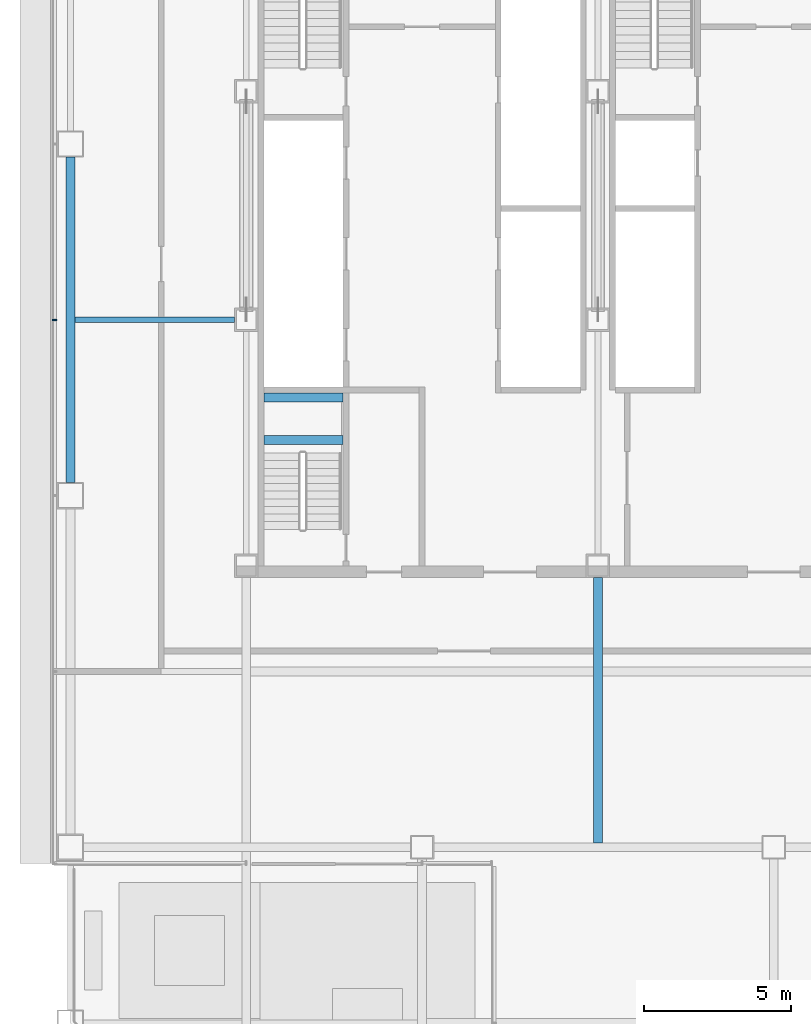
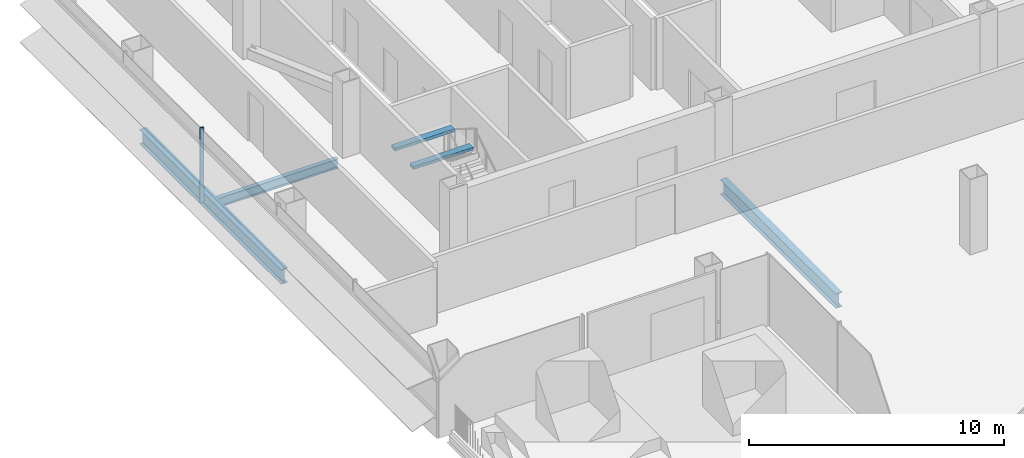
# One storey, part 6 of 28: 5 beams, 1 member, 1 element without a shape of its own.
"""IFC4 building model written with IfcOpenShell, lengths in metres."""

from ifc_helpers import new_model, si_unit, direction, frame, origin, origin_2d, place, context, subcontext, project, spatial, rectangle, i_section, extrude, material, material_profile, profile_set, type_object, element, aggregate, save


model = new_model("IFC4")

# Units and contexts
model_context = context("Model", 3, precision=1e-05, world=origin(), true_north=direction((0.0, 1.0)))
body_context = subcontext(model_context, "Body", "Model", "MODEL_VIEW")
ifc_project = project(units=[si_unit("LENGTHUNIT", "METRE"), si_unit("AREAUNIT", "SQUARE_METRE"), si_unit("VOLUMEUNIT", "CUBIC_METRE"), si_unit("PLANEANGLEUNIT", "RADIAN"), si_unit("MASSUNIT", "GRAM", prefix="KILO")], contexts=[model_context])

# Site, building, storey
site_placement = place(None, origin())
site = spatial("IfcSite", under=ifc_project, at=site_placement, CompositionType="ELEMENT")
building_placement = place(site_placement, origin())
building = spatial("IfcBuilding", under=site, at=building_placement, Name="Sorahane Residences", CompositionType="ELEMENT")
storey_placement = place(building_placement, frame((0.0, 0.0, 60.60009765625)))
storey = spatial("IfcBuildingStorey", under=building, at=storey_placement, Name="L11", CompositionType="ELEMENT", Elevation=60.60009765625)

# Curtain wall, member
ifc_material_1 = material(Name="Dark low-e glass and black anodised aluminium", Category="aluminium")
curtain_wall_type = type_object("IfcCurtainWallType", Name="Curtain wall CW-1 Typical unitised wall", PredefinedType="NOTDEFINED", material=ifc_material_1)
curtain_wall_placement = place(storey_placement, origin())
curtain_wall = element("IfcCurtainWall", 1, at=curtain_wall_placement, inside=storey, type_object=curtain_wall_type, Name="CW-1 curtain wall L11 W1", PredefinedType="NOTDEFINED")
ifc_material_2 = material(Name="Black anodised aluminium", Category="aluminium")
ifc_material_profile_1 = material_profile(ifc_material_2, rectangle(XDim=0.159912109375, YDim=0.050048828125, at=origin_2d()), Name="Curtain wall mullion CW-1 black anodised aluminium 50x160")
ifc_profile_set_1 = profile_set([ifc_material_profile_1], Name="Black anodised aluminium")
member_type = type_object("IfcMemberType", Name="Curtain wall mullion CW-1 black anodised aluminium 50x160", PredefinedType="MULLION", material=ifc_profile_set_1)
member_placement = place(storey_placement, frame((-0.5400390625, 30.0, -0.18017578125), z_axis=(0.0, 0.0, 1.0), x_axis=(-1.0, 0.0, 0.0)))
member = element("IfcMember", 2, at=member_placement, type_object=member_type, Name="CW-1 mullion L11 W1.3", PredefinedType="MULLION", context=body_context, shape_type="SweptSolid", body=[
    extrude(rectangle(XDim=0.159912109375, YDim=0.050048828125, at=origin_2d()), origin(), (0.0, 0.0, 1.0), 3.60009765625),
])
aggregate(curtain_wall, [member])

# Beams
ifc_material_3 = material(Name="Concrete C40", Category="concrete")
ifc_material_profile_2 = material_profile(ifc_material_3, rectangle(XDim=0.300048828125, YDim=0.139892578125, at=origin_2d()), Name="300x140")
ifc_profile_set_2 = profile_set([ifc_material_profile_2], Name="Concrete C40")
beam_type_1 = type_object("IfcBeamType", Name="RC landing beam 300 x 140 Concrete C40", PredefinedType="BEAM", material=ifc_profile_set_2)
for number, where, z_axis, x_axis, name in (
    (3, (6.60009765625, 25.89990234375, 1.52978515625), (1.0, 0.0, 0.0), (0.0, 1.0, 0.0), "Landing beam"),
    (4, (6.60009765625, 27.35009765625, 1.52978515625), (1.0, 0.0, 0.0), (0.0, 1.0, 0.0), "Landing beam"),
):
    element("IfcBeam", number, at=place(storey_placement, frame(where, z_axis=z_axis, x_axis=x_axis)), inside=storey, type_object=beam_type_1, Name=name, PredefinedType="BEAM", context=body_context, shape_type="SweptSolid", body=[
        extrude(rectangle(XDim=0.300048828125, YDim=0.139892578125, at=origin_2d()), origin(), (0.0, 0.0, 1.0), 2.699951171875),
    ])
ifc_material_4 = material(Name="Steel Q355B", Category="steel")
ifc_material_profile_3 = material_profile(ifc_material_4, i_section(OverallWidth=0.199951171875, OverallDepth=0.449951171875, WebThickness=0.009033203125, FlangeThickness=0.013916015625, FilletRadius=0.02001953125, at=origin_2d()), Name="HN 450x200x9x14")
ifc_profile_set_3 = profile_set([ifc_material_profile_3], Name="Steel Q355B")
beam_type_2 = type_object("IfcBeamType", Name="Steel floor beam HN 450x200x9x14 Q355B", PredefinedType="BEAM", material=ifc_profile_set_3)
beam_1_placement = place(storey_placement, frame((0.14990234375, 30.0, -0.405029296875), z_axis=(1.0, 0.0, 0.0), x_axis=(0.0, 1.0, 0.0)))
element("IfcBeam", 5, at=beam_1_placement, inside=storey, type_object=beam_type_2, Name="Beam L11 074", PredefinedType="BEAM", context=body_context, shape_type="SweptSolid", body=[
    extrude(i_section(OverallWidth=0.199951171875, OverallDepth=0.449951171875, WebThickness=0.009033203125, FlangeThickness=0.013916015625, FilletRadius=0.02001953125, at=origin_2d()), origin(), (0.0, 0.0, 1.0), 5.4501953125),
])
ifc_material_5 = material(Name="Steel Q355B", Category="steel")
ifc_material_profile_4 = material_profile(ifc_material_5, i_section(OverallWidth=0.300048828125, OverallDepth=0.699951171875, WebThickness=0.012939453125, FlangeThickness=0.02392578125, FilletRadius=0.028076171875, at=origin_2d()), Name="HN 700x300x13x24")
ifc_profile_set_4 = profile_set([ifc_material_profile_4], Name="Steel Q355B")
beam_type_3 = type_object("IfcBeamType", Name="Steel floor beam HN 700x300x13x24 Q355B", PredefinedType="BEAM", material=ifc_profile_set_4)
beam_2_placement = place(storey_placement, frame((0.0, 24.449951171875, -0.530029296875), z_axis=(0.0, 1.0, 0.0), x_axis=(-1.0, 0.0, 0.0)))
element("IfcBeam", 6, at=beam_2_placement, inside=storey, type_object=beam_type_3, Name="Beam L11 019", PredefinedType="BEAM", context=body_context, shape_type="SweptSolid", body=[
    extrude(i_section(OverallWidth=0.300048828125, OverallDepth=0.699951171875, WebThickness=0.012939453125, FlangeThickness=0.02392578125, FilletRadius=0.028076171875, at=origin_2d()), origin(), (0.0, 0.0, 1.0), 11.10009765625),
])
beam_3_placement = place(storey_placement, frame((18.0, 12.14990234375, -0.530029296875), z_axis=(0.0, 1.0, 0.0), x_axis=(-1.0, 0.0, 0.0)))
element("IfcBeam", 7, at=beam_3_placement, inside=storey, type_object=beam_type_3, Name="Beam L11 029", PredefinedType="BEAM", context=body_context, shape_type="SweptSolid", body=[
    extrude(i_section(OverallWidth=0.300048828125, OverallDepth=0.699951171875, WebThickness=0.012939453125, FlangeThickness=0.02392578125, FilletRadius=0.028076171875, at=origin_2d()), origin(), (0.0, 0.0, 1.0), 9.050048828125),
])

save(model, "model.ifc")
